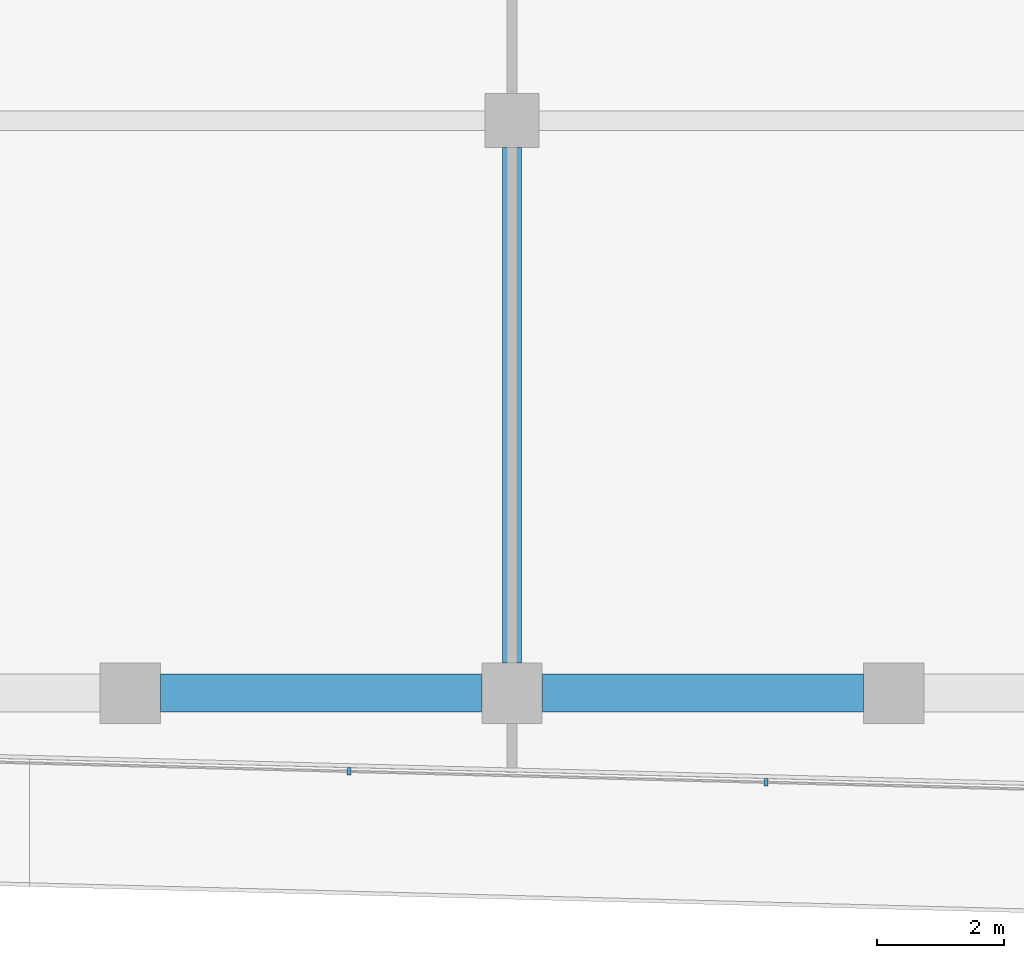
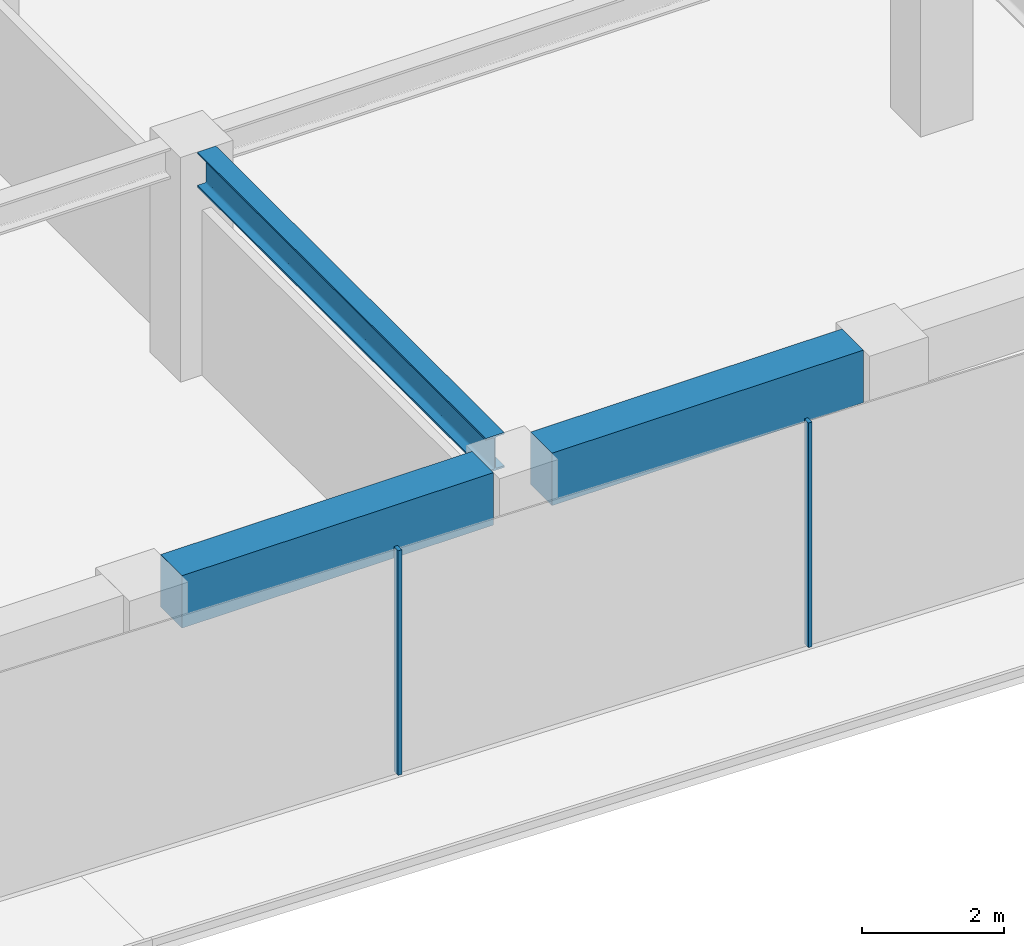
# One storey, part 7 of 28: 3 beams, 2 members, 1 element without a shape of its own.
"""IFC4 building model written with IfcOpenShell, lengths in metres."""

from ifc_helpers import new_model, si_unit, direction, frame, origin, origin_2d, place, context, subcontext, project, spatial, rectangle, i_section, extrude, material, layer, layer_set, material_profile, profile_set, type_object, element, aggregate, save


model = new_model("IFC4")

# Units and contexts
model_context = context("Model", 3, precision=1e-05, world=origin(), true_north=direction((0.0, 1.0)))
body_context = subcontext(model_context, "Body", "Model", "MODEL_VIEW")
ifc_project = project(units=[si_unit("LENGTHUNIT", "METRE"), si_unit("AREAUNIT", "SQUARE_METRE"), si_unit("VOLUMEUNIT", "CUBIC_METRE"), si_unit("PLANEANGLEUNIT", "RADIAN"), si_unit("MASSUNIT", "GRAM", prefix="KILO")], contexts=[model_context])

# Site, building, storey
site_placement = place(None, origin())
site = spatial("IfcSite", under=ifc_project, at=site_placement, CompositionType="ELEMENT")
building_placement = place(site_placement, origin())
building = spatial("IfcBuilding", under=site, at=building_placement, Name="Welwitschia Terrace Campus", CompositionType="ELEMENT")
storey_placement = place(building_placement, frame((0.0, 0.0, 45.800048828125)))
storey = spatial("IfcBuildingStorey", under=building, at=storey_placement, Name="L10", CompositionType="ELEMENT", Elevation=45.800048828125)

# Curtain wall, members
ifc_material_1 = material(Name="Bronze anodised aluminium", Category="aluminium")
ifc_layer = layer(ifc_material_1, 0.1201171875)
ifc_layer_set = layer_set([ifc_layer], Name="Bronze anodised aluminium")
curtain_wall_type = type_object("IfcCurtainWallType", Name="Curtain wall CW2 tower 6000", PredefinedType="NOTDEFINED", material=ifc_layer_set)
curtain_wall_placement = place(storey_placement, origin())
curtain_wall = element("IfcCurtainWall", 1, at=curtain_wall_placement, inside=storey, type_object=curtain_wall_type, Name="CW L10.2.0", PredefinedType="NOTDEFINED")
ifc_material_2 = material(Name="Bronze anodised aluminium", Category="aluminium")
ifc_material_profile_1 = material_profile(ifc_material_2, rectangle(XDim=0.1201171875, YDim=0.06005859375, at=origin_2d()))
ifc_profile_set_1 = profile_set([ifc_material_profile_1], Name="Bronze anodised aluminium")
member_type = type_object("IfcMemberType", Name="Mullion 60x120", PredefinedType="MULLION", material=ifc_profile_set_1)
member_1_placement = place(storey_placement, frame((33.439208984375, -5.229736328125, 0.0), z_axis=(0.0, 0.0, 1.0), x_axis=(0.026176948308, 0.999657324976, 0.0)))
member_1 = element("IfcMember", 2, at=member_1_placement, type_object=member_type, Name="Mullion L10.2.0.1", PredefinedType="MULLION", context=body_context, shape_type="SweptSolid", body=[
    extrude(rectangle(XDim=0.1201171875, YDim=0.06005859375, at=origin_2d()), origin(), (0.0, 0.0, 1.0), 3.849853515625),
])
member_2_placement = place(storey_placement, frame((39.994140625, -5.4013671875, 0.0), z_axis=(0.0, 0.0, 1.0), x_axis=(0.026176948308, 0.999657324976, 0.0)))
member_2 = element("IfcMember", 3, at=member_2_placement, type_object=member_type, Name="Mullion L10.2.0.2", PredefinedType="MULLION", context=body_context, shape_type="SweptSolid", body=[
    extrude(rectangle(XDim=0.1201171875, YDim=0.06005859375, at=origin_2d()), origin(), (0.0, 0.0, 1.0), 3.849853515625),
])
aggregate(curtain_wall, [member_1, member_2])

# Beams
ifc_material_3 = material(Name="Steel S355", Category="steel")
ifc_material_profile_2 = material_profile(ifc_material_3, i_section(OverallWidth=0.300048828125, OverallDepth=0.60009765625, WebThickness=0.015380859375, FlangeThickness=0.030029296875, FilletRadius=0.027099609375, at=origin_2d()))
ifc_profile_set_2 = profile_set([ifc_material_profile_2], Name="Steel S355")
beam_type_1 = type_object("IfcBeamType", Name="Primary beam HE 600 B", PredefinedType="BEAM", material=ifc_profile_set_2)
beam_placement = place(storey_placement, frame((36.0, -3.5244140625, 3.550048828125), z_axis=(0.0, 1.0, 0.0), x_axis=(-1.0, 0.0, 0.0)))
element("IfcBeam", 4, at=beam_placement, inside=storey, type_object=beam_type_1, Name="Primary beam PB2", PredefinedType="BEAM", context=body_context, shape_type="SweptSolid", body=[
    extrude(i_section(OverallWidth=0.300048828125, OverallDepth=0.60009765625, WebThickness=0.015380859375, FlangeThickness=0.030029296875, FilletRadius=0.027099609375, at=origin_2d()), origin(), (0.0, 0.0, 1.0), 8.098876953125),
])
ifc_material_4 = material(Name="Concrete C60/75", Category="concrete")
ifc_material_profile_3 = material_profile(ifc_material_4, rectangle(XDim=0.60009765625, YDim=0.89990234375, at=origin_2d()))
ifc_profile_set_3 = profile_set([ifc_material_profile_3], Name="Concrete C60/75")
beam_type_2 = type_object("IfcBeamType", Name="Ring spandrel 600x900", PredefinedType="SPANDREL", material=ifc_profile_set_3)
for number, where, z_axis, x_axis, name in (
    (5, (30.4755859375, -4.0, 3.39990234375), (1.0, 0.0, 0.0), (0.0, 1.0, 0.0), "Spandrel SP2"),
    (6, (36.4755859375, -4.0, 3.39990234375), (1.0, 0.0, 0.0), (0.0, 1.0, 0.0), "Spandrel SP2"),
):
    element("IfcBeam", number, at=place(storey_placement, frame(where, z_axis=z_axis, x_axis=x_axis)), inside=storey, type_object=beam_type_2, Name=name, PredefinedType="SPANDREL", context=body_context, shape_type="SweptSolid", body=[
        extrude(rectangle(XDim=0.60009765625, YDim=0.89990234375, at=origin_2d()), origin(), (0.0, 0.0, 1.0), 5.048828125),
    ])

save(model, "model.ifc")
